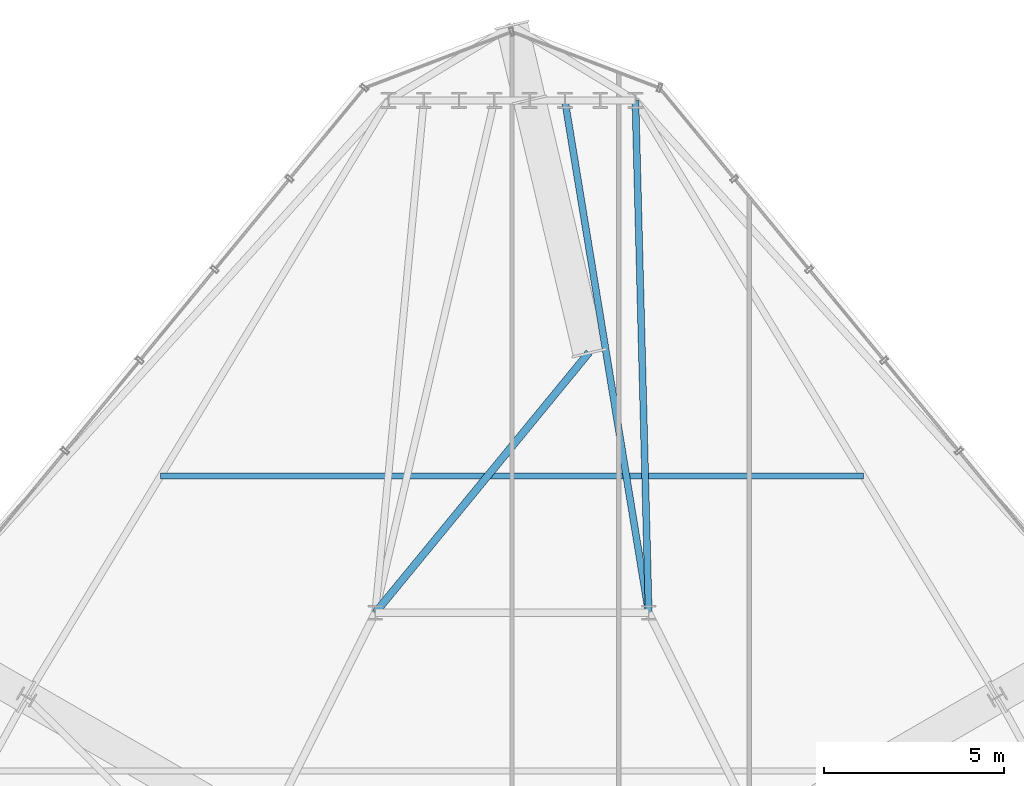
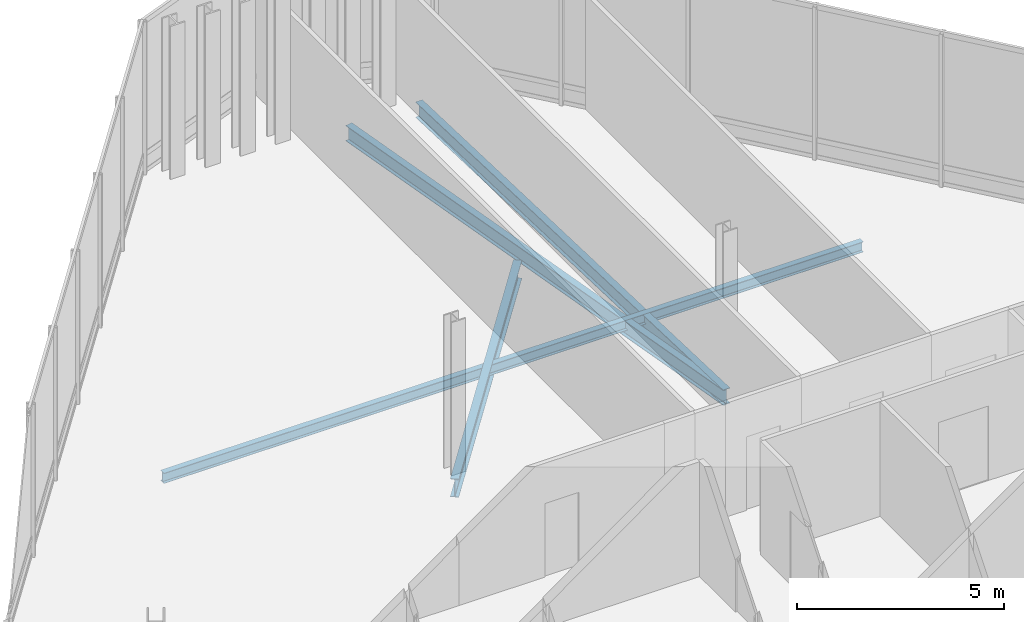
# One storey, part 17 of 29: 4 beams.
"""IFC4 building model written with IfcOpenShell, lengths in metres."""

from ifc_helpers import new_model, si_unit, direction, frame, origin, origin_2d, place, context, subcontext, project, spatial, i_section, extrude, material, material_profile, profile_set, type_object, element, save


model = new_model("IFC4")

# Units and contexts
model_context = context("Model", 3, precision=1e-05, world=origin(), true_north=direction((0.0, 1.0)))
body_context = subcontext(model_context, "Body", "Model", "MODEL_VIEW")
ifc_project = project(units=[si_unit("LENGTHUNIT", "METRE"), si_unit("AREAUNIT", "SQUARE_METRE"), si_unit("VOLUMEUNIT", "CUBIC_METRE"), si_unit("PLANEANGLEUNIT", "RADIAN"), si_unit("MASSUNIT", "GRAM", prefix="KILO")], contexts=[model_context])

# Site, building, storey
site_placement = place(None, origin())
site = spatial("IfcSite", under=ifc_project, at=site_placement, CompositionType="ELEMENT")
building_placement = place(site_placement, origin())
building = spatial("IfcBuilding", under=site, at=building_placement, Name="Ndaravel Arena Tower", CompositionType="ELEMENT")
storey_placement = place(building_placement, frame((0.0, 0.0, 208.39990234375)))
storey = spatial("IfcBuildingStorey", under=building, at=storey_placement, Name="L50", CompositionType="ELEMENT", Elevation=208.39990234375)

# Beams
ifc_material_1 = material(Name="Steel S355", Category="steel")
ifc_material_profile_1 = material_profile(ifc_material_1, i_section(OverallWidth=0.19140625, OverallDepth=0.4599609375, WebThickness=0.010009765625, FlangeThickness=0.01611328125, FilletRadius=0.01025390625, at=origin_2d()), Name="UB 457x191x82")
ifc_profile_set_1 = profile_set([ifc_material_profile_1], Name="Steel S355")
beam_type_1 = type_object("IfcBeamType", Name="BM-GIRD-UB457", PredefinedType="BEAM", material=ifc_profile_set_1)
beam_1_placement = place(storey_placement, frame((45.431396484375, 45.44482421875, -0.510009765625), z_axis=(0.025870988874, -0.999665289952, 0.0), x_axis=(0.999665289952, 0.025870988874, 0.0)))
element("IfcBeam", 1, at=beam_1_placement, inside=storey, type_object=beam_type_1, Name="L50 Radial Floor Girder FG-11", PredefinedType="BEAM", context=body_context, shape_type="SweptSolid", body=[
    extrude(i_section(OverallWidth=0.19140625, OverallDepth=0.4599609375, WebThickness=0.010009765625, FlangeThickness=0.01611328125, FilletRadius=0.01025390625, at=origin_2d()), origin(), (0.0, 0.0, 1.0), 14.249755859375),
])
beam_2_placement = place(storey_placement, frame((43.470703125, 45.44482421875, -0.510009765625), z_axis=(0.161378347099, -0.986892612743, 0.0), x_axis=(0.986892612743, 0.161378347099, 0.0)))
element("IfcBeam", 2, at=beam_2_placement, inside=storey, type_object=beam_type_1, Name="L50 Radial Floor Girder FG-13", PredefinedType="BEAM", context=body_context, shape_type="SweptSolid", body=[
    extrude(i_section(OverallWidth=0.19140625, OverallDepth=0.4599609375, WebThickness=0.010009765625, FlangeThickness=0.01611328125, FilletRadius=0.01025390625, at=origin_2d()), origin(), (0.0, 0.0, 1.0), 14.43408203125),
])
ifc_material_2 = material(Name="Steel S355", Category="steel")
ifc_material_profile_2 = material_profile(ifc_material_2, i_section(OverallWidth=0.210693359375, OverallDepth=0.53955078125, WebThickness=0.01171875, FlangeThickness=0.018798828125, FilletRadius=0.0126953125, at=origin_2d()), Name="UB 533x210x109")
ifc_profile_set_2 = profile_set([ifc_material_profile_2], Name="Steel S355")
beam_type_2 = type_object("IfcBeamType", Name="BM-GIRD-UB533", PredefinedType="BEAM", material=ifc_profile_set_2)
beam_3_placement = place(storey_placement, frame((44.141845703125, 38.436767578125, -0.549560546875), z_axis=(-0.634571490889, -0.7728641685, 0.0), x_axis=(0.7728641685, -0.634571490889, 0.0)))
element("IfcBeam", 3, at=beam_3_placement, inside=storey, type_object=beam_type_2, Name="L50 Star Backspan Anchor Tie SAT2-5", PredefinedType="BEAM", context=body_context, shape_type="SweptSolid", body=[
    extrude(i_section(OverallWidth=0.210693359375, OverallDepth=0.53955078125, WebThickness=0.01171875, FlangeThickness=0.018798828125, FilletRadius=0.0126953125, at=origin_2d()), origin(), (0.0, 0.0, 1.0), 9.363525390625),
])
ifc_material_3 = material(Name="Steel S355", Category="steel")
ifc_material_profile_3 = material_profile(ifc_material_3, i_section(OverallWidth=0.165771484375, OverallDepth=0.306640625, WebThickness=0.006591796875, FlangeThickness=0.01171875, FilletRadius=0.0087890625, at=origin_2d()), Name="UB 305x165x46")
ifc_profile_set_3 = profile_set([ifc_material_profile_3], Name="Steel S355")
beam_type_3 = type_object("IfcBeamType", Name="BM-JOIST-UB305", PredefinedType="JOIST", material=ifc_profile_set_3)
beam_4_placement = place(storey_placement, frame((32.2294921875, 35.0, -0.43310546875), z_axis=(1.0, 0.0, 0.0), x_axis=(0.0, 1.0, 0.0)))
element("IfcBeam", 4, at=beam_4_placement, inside=storey, type_object=beam_type_3, Name="L50 Composite Floor Joist FJ-03", PredefinedType="JOIST", context=body_context, shape_type="SweptSolid", body=[
    extrude(i_section(OverallWidth=0.165771484375, OverallDepth=0.306640625, WebThickness=0.006591796875, FlangeThickness=0.01171875, FilletRadius=0.0087890625, at=origin_2d()), origin(), (0.0, 0.0, 1.0), 19.541015625),
])

save(model, "model.ifc")
